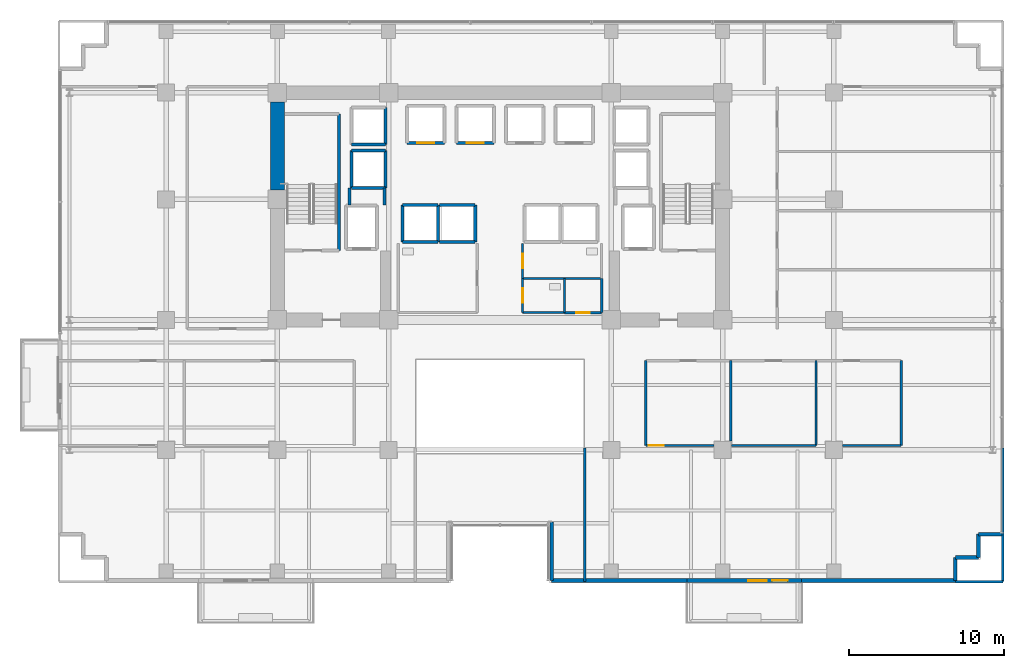
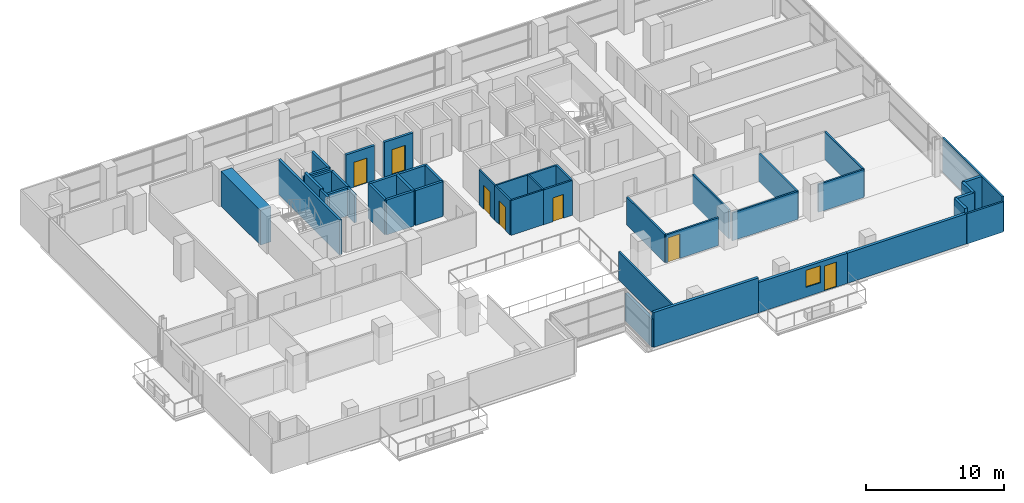
# One storey, part 25 of 32: 44 walls, 7 doors, 1 window, 8 openings.
"""IFC4 building model written with IfcOpenShell, lengths in metres."""

import ifcopenshell
import ifcopenshell.guid

model = None  # the IFC model being written
_history = None  # IfcOwnerHistory: only IFC2X3 demands one
_inside = {}  # id of a spatial element -> (the spatial element, [elements in it])
_under = {}  # id of a project, library or spatial element -> (it, [spatial elements below it])
_declared = {}  # id of a project -> (the project, [libraries it declares])
_typed = {}  # id of a type object -> (the type object, [elements of that type])
_made_of = {}  # id of a material, layer set ... -> (it, [elements and type objects made of it])


def new_model(schema):
    """Start an empty IFC model of exactly this schema.

    Asked for "IFC4X3", IfcOpenShell would pick the latest addendum, in which some entities
    have other attributes; the version numbers below select the first issue.
    IFC2X3 requires an IfcOwnerHistory on every rooted entity: one is made here for all.
    """
    global model, _history
    if schema == "IFC4X3":
        model = ifcopenshell.file(schema_version=(4, 3, 0, 0))
    else:
        model = ifcopenshell.file(schema=schema)
    _inside.clear()
    _under.clear()
    _declared.clear()
    _typed.clear()
    _made_of.clear()
    _history = None
    if model.schema == "IFC2X3":
        org = make("IfcOrganization", Name="unknown")
        user = make(
            "IfcPersonAndOrganization",
            ThePerson=make("IfcPerson", FamilyName="unknown"),
            TheOrganization=org,
        )
        app = make(
            "IfcApplication",
            ApplicationDeveloper=org,
            Version="unknown",
            ApplicationFullName="unknown",
            ApplicationIdentifier="unknown",
        )
        _history = make(
            "IfcOwnerHistory",
            OwningUser=user,
            OwningApplication=app,
            ChangeAction="ADDED",
            CreationDate=0,
        )
    return model


def make(cls, **values):
    """One entity of the class cls with the attributes given. An attribute that is None is left unset."""
    return model.create_entity(
        cls, **{name: value for name, value in values.items() if value is not None}
    )


def rooted(cls, **values):
    """An entity with a GlobalId (a new one), such as an element, a storey or a relation."""
    return make(cls, GlobalId=ifcopenshell.guid.new(), OwnerHistory=_history, **values)


def si_unit(unit_type, name, prefix=None):
    """IfcSIUnit, for example si_unit("LENGTHUNIT", "METRE", prefix="MILLI")."""
    return make("IfcSIUnit", UnitType=unit_type, Prefix=prefix, Name=name)


def assignment(units):
    """IfcUnitAssignment: the units of a project."""
    return None if units is None else make("IfcUnitAssignment", Units=units)


def point(xyz):
    """IfcCartesianPoint."""
    return None if xyz is None else make("IfcCartesianPoint", Coordinates=xyz)


def direction(xyz):
    """IfcDirection."""
    return None if xyz is None else make("IfcDirection", DirectionRatios=xyz)


def frame(location, z_axis=None, x_axis=None):
    """IfcAxis2Placement3D, a coordinate frame: its origin and axes. An axis left out is left unset."""
    return make(
        "IfcAxis2Placement3D",
        Location=point(location),
        Axis=direction(z_axis),
        RefDirection=direction(x_axis),
    )


def frame_2d(location, x_axis=None):
    """IfcAxis2Placement2D, a coordinate frame in the plane: its origin and x axis."""
    return make(
        "IfcAxis2Placement2D", Location=point(location), RefDirection=direction(x_axis)
    )


def origin():
    """The frame at (0, 0, 0) with its axes left unset."""
    return frame((0.0, 0.0, 0.0))


def place(relative_to, where):
    """IfcLocalPlacement: puts the frame where relative to a parent placement (None: the world)."""
    return make(
        "IfcLocalPlacement", PlacementRelTo=relative_to, RelativePlacement=where
    )


def context(
    kind, dimensions, precision=None, world=None, true_north=None, identifier=None
):
    """IfcGeometricRepresentationContext, for example the 3D "Model" context."""
    return make(
        "IfcGeometricRepresentationContext",
        ContextIdentifier=identifier,
        ContextType=kind,
        CoordinateSpaceDimension=dimensions,
        Precision=precision,
        WorldCoordinateSystem=world,
        TrueNorth=true_north,
    )


def subcontext(parent, identifier, kind, view, scale=None):
    """IfcGeometricRepresentationSubContext, for example "Body" below "Model"."""
    return make(
        "IfcGeometricRepresentationSubContext",
        ContextIdentifier=identifier,
        ContextType=kind,
        ParentContext=parent,
        TargetScale=scale,
        TargetView=view,
    )


def project(units=None, contexts=None):
    """IfcProject with its units and contexts."""
    return rooted(
        "IfcProject",
        Name="project",
        RepresentationContexts=contexts,
        UnitsInContext=assignment(units),
    )


def spatial(cls, under=None, at=None, **own):
    """A site, building, storey or space (cls), placed at a placement, below another one or the project."""
    s = rooted(cls, ObjectPlacement=at, **own)
    if under is not None:
        _under.setdefault(under.id(), (under, []))[1].append(s)
    return s


def profile(cls, at=None, kind="AREA", **sizes):
    """A parametric profile (cls). Its sizes go by their IFC names, for example OverallWidth=200.0."""
    return make(cls, ProfileType=kind, Position=at, **sizes)


def rectangle(**sizes):
    """IfcRectangleProfileDef."""
    return profile("IfcRectangleProfileDef", **sizes)


def extrude(swept, where, along, depth):
    """IfcExtrudedAreaSolid: the profile swept, set in the frame where, extruded along a direction by depth."""
    return make(
        "IfcExtrudedAreaSolid",
        SweptArea=swept,
        Position=where,
        ExtrudedDirection=direction(along),
        Depth=depth,
    )


def shape(context_of_items, identifier, shape_type, items):
    """IfcShapeRepresentation: the items that make up one representation, for example the "Body"."""
    return make(
        "IfcShapeRepresentation",
        ContextOfItems=context_of_items,
        RepresentationIdentifier=identifier,
        RepresentationType=shape_type,
        Items=items,
    )


def source(mapping_origin, context_of_items, identifier, shape_type, items):
    """IfcRepresentationMap: a shape defined once, which mapped items show again and again."""
    return make(
        "IfcRepresentationMap",
        MappingOrigin=mapping_origin,
        MappedRepresentation=shape(context_of_items, identifier, shape_type, items),
    )


def transform(
    local_origin,
    x_axis=None,
    y_axis=None,
    z_axis=None,
    scale=None,
    scale2=None,
    scale3=None,
    uniform=True,
):
    """IfcCartesianTransformationOperator3D, or its non-uniform kind. x_axis, y_axis, z_axis: its Axis1, 2, 3."""
    if uniform:
        return make(
            "IfcCartesianTransformationOperator3D",
            Axis1=direction(x_axis),
            Axis2=direction(y_axis),
            LocalOrigin=point(local_origin),
            Scale=scale,
            Axis3=direction(z_axis),
        )
    return make(
        "IfcCartesianTransformationOperator3DnonUniform",
        Axis1=direction(x_axis),
        Axis2=direction(y_axis),
        LocalOrigin=point(local_origin),
        Scale=scale,
        Axis3=direction(z_axis),
        Scale2=scale2,
        Scale3=scale3,
    )


def mapped(mapping_source, mapping_target):
    """IfcMappedItem: shows the shape of a source again, moved by a transform."""
    return make(
        "IfcMappedItem", MappingSource=mapping_source, MappingTarget=mapping_target
    )


def material(Name=None, Category=None):
    """IfcMaterial."""
    return make("IfcMaterial", Name=Name, Category=Category)


def layer(
    of_material, thickness, ventilated=None, Name=None, Category=None, Priority=None
):
    """IfcMaterialLayer: one layer of a wall or slab, of a material (None: an air gap)."""
    return make(
        "IfcMaterialLayer",
        Material=of_material,
        LayerThickness=thickness,
        IsVentilated=ventilated,
        Name=Name,
        Category=Category,
        Priority=Priority,
    )


def layer_set(layers, Name=None):
    """IfcMaterialLayerSet."""
    return make("IfcMaterialLayerSet", MaterialLayers=layers, LayerSetName=Name)


def made_of(thing, what):
    """Note that an element or type object is made of a material, layer set ...; save() writes the relation."""
    if what is not None:
        _made_of.setdefault(what.id(), (what, []))[1].append(thing)
    return thing


def type_object(cls, material=None, **own):
    """A type object (cls), such as IfcWallType, which elements share."""
    return made_of(rooted(cls, **own), material)


def element(
    cls,
    number,
    at=None,
    inside=None,
    cuts=None,
    type_object=None,
    material=None,
    context=None,
    identifier="Body",
    shape_type=None,
    held_by="IfcProductDefinitionShape",
    body=None,
    shapes=None,
    **own,
):
    """One element of the class cls, such as IfcWall. Its Tag is "e" and its number.

    at: its placement. inside: the storey or other place that contains it. cuts: it is an
    opening in that element (IfcRelVoidsElement). A single representation is given by context,
    identifier, shape_type and body (its items); several are given by shapes. held_by: the class
    of the entity that holds the representations. save() writes the other relations.
    """
    e = rooted(cls, Tag="e%d" % number, ObjectPlacement=at, **own)
    if body is not None:
        shapes = [shape(context, identifier, shape_type, body)]
    if shapes is not None:
        e.Representation = make(held_by, Representations=shapes)
    if inside is not None:
        _inside.setdefault(inside.id(), (inside, []))[1].append(e)
    if cuts is not None:
        rooted(
            "IfcRelVoidsElement", RelatingBuildingElement=cuts, RelatedOpeningElement=e
        )
    if type_object is not None:
        _typed.setdefault(type_object.id(), (type_object, []))[1].append(e)
    return made_of(e, material)


def fill(opening, filler):
    """IfcRelFillsElement: the door or window that sits in an opening."""
    return rooted(
        "IfcRelFillsElement",
        RelatingOpeningElement=opening,
        RelatedBuildingElement=filler,
    )


def aggregate(whole, parts):
    """IfcRelAggregates: a whole, such as a stair, and the parts it consists of."""
    return rooted("IfcRelAggregates", RelatingObject=whole, RelatedObjects=parts)


def save(model, path):
    """Write the relations noted so far, then the file.

    IfcRelAggregates (storeys below a building ...), IfcRelContainedInSpatialStructure (elements
    in a storey), IfcRelDefinesByType, IfcRelAssociatesMaterial and IfcRelDeclares: one each for
    every whole, place, type object, material and project.
    """
    for whole, parts in _under.values():
        aggregate(whole, parts)
    for where, things in _inside.values():
        rooted(
            "IfcRelContainedInSpatialStructure",
            RelatedElements=things,
            RelatingStructure=where,
        )
    for kind, things in _typed.values():
        rooted("IfcRelDefinesByType", RelatedObjects=things, RelatingType=kind)
    for what, things in _made_of.values():
        rooted("IfcRelAssociatesMaterial", RelatedObjects=things, RelatingMaterial=what)
    for by, libraries in _declared.values():
        rooted("IfcRelDeclares", RelatingContext=by, RelatedDefinitions=libraries)
    model.write(path)


model = new_model("IFC4")

# Units and contexts
model_context = context("Model", 3, precision=1e-05, world=origin(), true_north=direction((0.0, 1.0)))
body_context = subcontext(model_context, "Body", "Model", "MODEL_VIEW")
ifc_project = project(units=[si_unit("LENGTHUNIT", "METRE"), si_unit("AREAUNIT", "SQUARE_METRE"), si_unit("VOLUMEUNIT", "CUBIC_METRE"), si_unit("PLANEANGLEUNIT", "RADIAN"), si_unit("MASSUNIT", "GRAM", prefix="KILO")], contexts=[model_context])

# Site, building, storey
site_placement = place(None, origin())
site = spatial("IfcSite", under=ifc_project, at=site_placement, CompositionType="ELEMENT")
building_placement = place(site_placement, origin())
building = spatial("IfcBuilding", under=site, at=building_placement, Name="Zarnakvel Exchange Tower", CompositionType="ELEMENT")
storey_placement = place(building_placement, frame((0.0, 0.0, 73.60009765625)))
storey = spatial("IfcBuildingStorey", under=building, at=storey_placement, Name="L20", CompositionType="ELEMENT", Elevation=73.60009765625)

# Wall
ifc_material_1 = material(Name="Concrete C80/95", Category="concrete")
ifc_layer_1 = layer(ifc_material_1, 0.89990234375)
ifc_layer_set_1 = layer_set([ifc_layer_1], Name="Concrete C80/95")
wall_type_1 = type_object("IfcWallType", Name="CW-C1", PredefinedType="SHEAR", material=ifc_layer_set_1)
wall_1_placement = place(storey_placement, frame((-14.39990234375, 7.199951171875, 0.0), z_axis=(0.0, 0.0, 1.0), x_axis=(0.0, 1.0, 0.0)))
element("IfcWall", 1, at=wall_1_placement, inside=storey, type_object=wall_type_1, Name="L20 Rear Core Shear Wall W2 (CW-C1)", PredefinedType="SHEAR", context=body_context, shape_type="SweptSolid", body=[
    extrude(rectangle(XDim=5.699951171875, YDim=0.89990234375, at=frame_2d((2.85009765625, 0.0))), origin(), (0.0, 0.0, 1.0), 3.074951171875),
])

# Wall, openings, door, window
ifc_material_2 = material(Name="Precast concrete C40/50", Category="concrete")
ifc_layer_2 = layer(ifc_material_2, 0.239990234375)
ifc_layer_set_2 = layer_set([ifc_layer_2], Name="Precast concrete C40/50")
wall_type_2 = type_object("IfcWallType", Name="EW-02", PredefinedType="SOLIDWALL", material=ifc_layer_set_2)
wall_2_placement = place(storey_placement, frame((19.5, -18.06005859375, 0.0), z_axis=(0.0, 0.0, 1.0), x_axis=(-1.0, 0.0, 0.0)))
wall_2 = element("IfcWall", 2, at=wall_2_placement, inside=storey, type_object=wall_type_2, Name="L20 Exterior Precast Spandrel Wall EW-BAL-L20-SE (EW-02)", PredefinedType="SOLIDWALL", context=body_context, shape_type="SweptSolid", body=[
    extrude(rectangle(XDim=7.39990234375, YDim=0.239990234375, at=frame_2d((3.699951171875, 0.0))), origin(), (0.0, 0.0, 1.0), 2.664794921875),
])
opening_1_placement = place(wall_2_placement, frame((0.887939453125, 0.0, 0.0)))
opening_1 = element("IfcOpeningElement", 3, at=opening_1_placement, cuts=wall_2, Name="Opening BD-L20-02", PredefinedType="OPENING", context=body_context, shape_type="SweptSolid", body=[
    extrude(rectangle(XDim=1.0, YDim=2.199951171875, at=frame_2d((0.5, 1.10009765625))), frame((0.0, 0.1298828125, 0.0), z_axis=(0.0, -1.0, 0.0), x_axis=(1.0, 0.0, 0.0)), (0.0, 0.0, 1.0), 0.260009765625),
])
opening_2_placement = place(wall_2_placement, frame((2.238037109375, 0.0, 0.85009765625)))
opening_2 = element("IfcOpeningElement", 4, at=opening_2_placement, cuts=wall_2, Name="Opening WN-04", PredefinedType="OPENING", context=body_context, shape_type="SweptSolid", body=[
    extrude(rectangle(XDim=1.199951171875, YDim=1.5, at=frame_2d((0.60009765625, 0.75))), frame((0.0, 0.1298828125, 0.0), z_axis=(0.0, -1.0, 0.0), x_axis=(1.0, 0.0, 0.0)), (0.0, 0.0, 1.0), 0.260009765625),
])
ifc_material_3 = material(Name="Architectural Bronze Anodised Aluminium", Category="aluminium")
door_type_1 = type_object("IfcDoorType", Name="DT-09", OperationType="NOTDEFINED", PredefinedType="DOOR", material=ifc_material_3)
shared_shape_1 = source(origin(), body_context, "Body", "SweptSolid", [
    extrude(rectangle(XDim=1.0, YDim=2.199951171875, at=frame_2d((0.5, 1.10009765625))), frame((0.0, 0.02490234375, 0.0), z_axis=(0.0, -1.0, 0.0), x_axis=(1.0, 0.0, 0.0)), (0.0, 0.0, 1.0), 0.050048828125),
])
door_1_placement = place(opening_1_placement, origin())
door_1 = element("IfcDoor", 5, at=door_1_placement, inside=storey, type_object=door_type_1, Name="L20 Planted Loggia Balcony Door BD-L20-02", OperationType="SINGLE_SWING_LEFT", OverallHeight=2.199951171875, OverallWidth=1.0, PredefinedType="DOOR", context=body_context, shape_type="MappedRepresentation", body=[
    mapped(shared_shape_1, transform((0.0, 0.0, 0.0), x_axis=(1.0, 0.0, 0.0), y_axis=(0.0, 1.0, 0.0), z_axis=(0.0, 0.0, 1.0), scale=1.0)),
])
fill(opening_1, door_1)
ifc_material_4 = material(Name="Double Low-E Laminated Vision Glass", Category="glass")
window_type = type_object("IfcWindowType", Name="WN-04", PartitioningType="SINGLE_PANEL", PredefinedType="WINDOW", material=ifc_material_4)
shared_shape_2 = source(origin(), body_context, "Body", "SweptSolid", [
    extrude(rectangle(XDim=1.199951171875, YDim=1.5, at=frame_2d((0.60009765625, 0.75))), frame((0.0, 0.030029296875, 0.0), z_axis=(0.0, -1.0, 0.0), x_axis=(1.0, 0.0, 0.0)), (0.0, 0.0, 1.0), 0.06005859375),
])
window_placement = place(opening_2_placement, origin())
window = element("IfcWindow", 6, at=window_placement, inside=storey, type_object=window_type, Name="L20 Loggia Daylight Window (WN-04)", OverallHeight=1.5, OverallWidth=1.199951171875, PartitioningType="SINGLE_PANEL", PredefinedType="WINDOW", context=body_context, shape_type="MappedRepresentation", body=[
    mapped(shared_shape_2, transform((0.0, 0.0, 0.0), x_axis=(1.0, 0.0, 0.0), y_axis=(0.0, 1.0, 0.0), z_axis=(0.0, 0.0, 1.0), scale=1.0)),
])
fill(opening_2, window)

# Walls
for number, where, z_axis, x_axis, name in (
    (7, (30.9599609375, -15.06005859375, 0.0), (0.0, 0.0, 1.0), (1.0, 0.0, 0.0), "L20 Exterior Precast Spandrel Wall EWC-L20-11 (EW-02)"),
    (8, (30.9599609375, -16.56005859375, 0.0), (0.0, 0.0, 1.0), (0.0, 1.0, 0.0), "L20 Exterior Precast Spandrel Wall EWC-L20-12 (EW-02)"),
    (9, (29.4599609375, -16.56005859375, 0.0), (0.0, 0.0, 1.0), (1.0, 0.0, 0.0), "L20 Exterior Precast Spandrel Wall EWC-L20-13 (EW-02)"),
    (10, (29.4599609375, -18.06005859375, 0.0), (0.0, 0.0, 1.0), (0.0, 1.0, 0.0), "L20 Exterior Precast Spandrel Wall EWC-L20-14 (EW-02)"),
):
    element("IfcWall", number, at=place(storey_placement, frame(where, z_axis=z_axis, x_axis=x_axis)), inside=storey, type_object=wall_type_2, Name=name, PredefinedType="SOLIDWALL", context=body_context, shape_type="SweptSolid", body=[
        extrude(rectangle(XDim=1.5, YDim=0.239990234375, at=frame_2d((0.75, 0.0))), origin(), (0.0, 0.0, 1.0), 3.074951171875),
    ])
wall_3_placement = place(storey_placement, frame((19.5, -18.06005859375, 0.0), z_axis=(0.0, 0.0, 1.0), x_axis=(1.0, 0.0, 0.0)))
element("IfcWall", 11, at=wall_3_placement, inside=storey, type_object=wall_type_2, Name="L20 Exterior Precast Spandrel Wall EWC-L20-15 (EW-02)", PredefinedType="SOLIDWALL", context=body_context, shape_type="SweptSolid", body=[
    extrude(rectangle(XDim=9.9599609375, YDim=0.239990234375, at=frame_2d((4.97998046875, 0.0))), origin(), (0.0, 0.0, 1.0), 2.664794921875),
])
wall_4_placement = place(storey_placement, frame((3.340087890625, -18.06005859375, 0.0), z_axis=(0.0, 0.0, 1.0), x_axis=(1.0, 0.0, 0.0)))
element("IfcWall", 12, at=wall_4_placement, inside=storey, type_object=wall_type_2, Name="L20 Exterior Precast Spandrel Wall EWC-L20-16 (EW-02)", PredefinedType="SOLIDWALL", context=body_context, shape_type="SweptSolid", body=[
    extrude(rectangle(XDim=8.760009765625, YDim=0.239990234375, at=frame_2d((4.3798828125, 0.0))), origin(), (0.0, 0.0, 1.0), 3.074951171875),
])
wall_5_placement = place(storey_placement, frame((3.340087890625, -14.260009765625, 0.0), z_axis=(0.0, 0.0, 1.0), x_axis=(0.0, -1.0, 0.0)))
element("IfcWall", 13, at=wall_5_placement, inside=storey, type_object=wall_type_2, Name="L20 Exterior Precast Spandrel Wall EWC-L20-17 (EW-02)", PredefinedType="SOLIDWALL", context=body_context, shape_type="SweptSolid", body=[
    extrude(rectangle(XDim=3.800048828125, YDim=0.239990234375, at=frame_2d((1.89990234375, 0.0))), origin(), (0.0, 0.0, 1.0), 2.46484375),
])

# Wall, opening, door
ifc_material_5 = material(Name="Fire-Rated Gypsum Stud Partition", Category="gypsum")
ifc_layer_3 = layer(ifc_material_5, 0.14990234375)
ifc_layer_set_3 = layer_set([ifc_layer_3], Name="Fire-Rated Gypsum Stud Partition")
wall_type_3 = type_object("IfcWallType", Name="PT-01", PredefinedType="PARTITIONING", material=ifc_layer_set_3)
wall_6_placement = place(storey_placement, frame((6.580078125, -0.72998046875, 0.0), z_axis=(0.0, 0.0, 1.0), x_axis=(-1.0, 0.0, 0.0)))
wall_6 = element("IfcWall", 14, at=wall_6_placement, inside=storey, type_object=wall_type_3, Name="L20 Partition Wall PWALL-L20-020 (PT-01)", PredefinedType="PARTITIONING", context=body_context, shape_type="SweptSolid", body=[
    extrude(rectangle(XDim=2.400146484375, YDim=0.14990234375, at=frame_2d((1.2001953125, 0.0))), origin(), (0.0, 0.0, 1.0), 3.074951171875),
])
opening_3_placement = place(wall_6_placement, frame((0.760009765625, 0.0, 0.0)))
opening_3 = element("IfcOpeningElement", 15, at=opening_3_placement, cuts=wall_6, Name="Opening D-L20-08", PredefinedType="OPENING", context=body_context, shape_type="SweptSolid", body=[
    extrude(rectangle(XDim=0.8798828125, YDim=2.10009765625, at=frame_2d((0.43994140625, 1.050048828125))), frame((0.0, 0.0849609375, 0.0), z_axis=(0.0, -1.0, 0.0), x_axis=(1.0, 0.0, 0.0)), (0.0, 0.0, 1.0), 0.169921875),
])
ifc_material_6 = material(Name="Painted Galvanised Steel S355", Category="steel")
door_type_2 = type_object("IfcDoorType", Name="DT-08", OperationType="NOTDEFINED", PredefinedType="DOOR", material=ifc_material_6)
shared_shape_3 = source(origin(), body_context, "Body", "SweptSolid", [
    extrude(rectangle(XDim=0.8798828125, YDim=2.10009765625, at=frame_2d((0.43994140625, 1.050048828125))), frame((0.0, 0.02490234375, 0.0), z_axis=(0.0, -1.0, 0.0), x_axis=(1.0, 0.0, 0.0)), (0.0, 0.0, 1.0), 0.050048828125),
])
door_2_placement = place(opening_3_placement, origin())
door_2 = element("IfcDoor", 16, at=door_2_placement, inside=storey, type_object=door_type_2, Name="L20 Cleaners Store Door D-L20-08", OperationType="SINGLE_SWING_RIGHT", OverallHeight=2.10009765625, OverallWidth=0.8798828125, PredefinedType="DOOR", context=body_context, shape_type="MappedRepresentation", body=[
    mapped(shared_shape_3, transform((0.0, 0.0, 0.0), x_axis=(1.0, 0.0, 0.0), y_axis=(0.0, 1.0, 0.0), z_axis=(0.0, 0.0, 1.0), scale=1.0)),
])
fill(opening_3, door_2)

# Wall
wall_7_placement = place(storey_placement, frame((6.580078125, 1.47998046875, 0.0), z_axis=(0.0, 0.0, 1.0), x_axis=(0.0, -1.0, 0.0)))
element("IfcWall", 17, at=wall_7_placement, inside=storey, type_object=wall_type_3, Name="L20 Partition Wall PWALL-L20-021 (PT-01)", PredefinedType="PARTITIONING", context=body_context, shape_type="SweptSolid", body=[
    extrude(rectangle(XDim=2.2099609375, YDim=0.14990234375, at=frame_2d((1.10498046875, 0.0))), origin(), (0.0, 0.0, 1.0), 3.074951171875),
])

# Wall, opening, door
wall_8_placement = place(storey_placement, frame((13.830078125, -9.320068359375, 0.0), z_axis=(0.0, 0.0, 1.0), x_axis=(-1.0, 0.0, 0.0)))
wall_8 = element("IfcWall", 18, at=wall_8_placement, inside=storey, type_object=wall_type_3, Name="L20 Partition Wall PWALL-L20-032 (PT-01)", PredefinedType="PARTITIONING", context=body_context, shape_type="SweptSolid", body=[
    extrude(rectangle(XDim=4.400146484375, YDim=0.14990234375, at=frame_2d((2.2001953125, 0.0))), origin(), (0.0, 0.0, 1.0), 2.46484375),
])
opening_4_placement = place(wall_8_placement, frame((3.239990234375, 0.0, 0.0)))
opening_4 = element("IfcOpeningElement", 19, at=opening_4_placement, cuts=wall_8, Name="Opening D-L20-15", PredefinedType="OPENING", context=body_context, shape_type="SweptSolid", body=[
    extrude(rectangle(XDim=0.97998046875, YDim=2.14990234375, at=frame_2d((0.489990234375, 1.074951171875))), frame((0.0, 0.0849609375, 0.0), z_axis=(0.0, -1.0, 0.0), x_axis=(1.0, 0.0, 0.0)), (0.0, 0.0, 1.0), 0.169921875),
])
ifc_material_7 = material(Name="Timber Acoustic Veneer", Category="wood")
door_type_3 = type_object("IfcDoorType", Name="DT-05", OperationType="NOTDEFINED", PredefinedType="DOOR", material=ifc_material_7)
shared_shape_4 = source(origin(), body_context, "Body", "SweptSolid", [
    extrude(rectangle(XDim=0.97998046875, YDim=2.14990234375, at=frame_2d((0.489990234375, 1.074951171875))), frame((0.0, 0.02490234375, 0.0), z_axis=(0.0, -1.0, 0.0), x_axis=(1.0, 0.0, 0.0)), (0.0, 0.0, 1.0), 0.050048828125),
])
door_3_placement = place(opening_4_placement, origin())
door_3 = element("IfcDoor", 20, at=door_3_placement, inside=storey, type_object=door_type_3, Name="L20 Corporate Advisory Suite Door D-L20-15", OperationType="SINGLE_SWING_LEFT", OverallHeight=2.14990234375, OverallWidth=0.97998046875, PredefinedType="DOOR", context=body_context, shape_type="MappedRepresentation", body=[
    mapped(shared_shape_4, transform((0.0, 0.0, 0.0), x_axis=(1.0, 0.0, 0.0), y_axis=(0.0, 1.0, 0.0), z_axis=(0.0, 0.0, 1.0), scale=1.0)),
])
fill(opening_4, door_3)

# Walls
wall_9_placement = place(storey_placement, frame((9.429931640625, -9.320068359375, 0.0), z_axis=(0.0, 0.0, 1.0), x_axis=(0.0, 1.0, 0.0)))
element("IfcWall", 21, at=wall_9_placement, inside=storey, type_object=wall_type_3, Name="L20 Partition Wall PWALL-L20-034 (PT-01)", PredefinedType="PARTITIONING", context=body_context, shape_type="SweptSolid", body=[
    extrude(rectangle(XDim=5.489990234375, YDim=0.14990234375, at=frame_2d((2.7451171875, 0.0))), origin(), (0.0, 0.0, 1.0), 2.46484375),
])
wall_10_placement = place(storey_placement, frame((14.9375, -3.830078125, 0.0), z_axis=(0.0, 0.0, 1.0), x_axis=(0.0, -1.0, 0.0)))
element("IfcWall", 22, at=wall_10_placement, inside=storey, type_object=wall_type_3, Name="L20 Partition Wall PWALL-L20-035 (PT-01)", PredefinedType="PARTITIONING", context=body_context, shape_type="SweptSolid", body=[
    extrude(rectangle(XDim=5.199951171875, YDim=0.14990234375, at=frame_2d((2.60009765625, 0.0))), origin(), (0.0, 0.0, 1.0), 2.56494140625),
])
wall_11_placement = place(storey_placement, frame((20.4453125, -9.320068359375, 0.0), z_axis=(0.0, 0.0, 1.0), x_axis=(-1.0, 0.0, 0.0)))
element("IfcWall", 23, at=wall_11_placement, inside=storey, type_object=wall_type_3, Name="L20 Partition Wall PWALL-L20-036 (PT-01)", PredefinedType="PARTITIONING", context=body_context, shape_type="SweptSolid", body=[
    extrude(rectangle(XDim=5.475341796875, YDim=0.14990234375, at=frame_2d((2.73779296875, 0.0))), origin(), (0.0, 0.0, 1.0), 2.46484375),
])
wall_12_placement = place(storey_placement, frame((20.4453125, -3.830078125, 0.0), z_axis=(0.0, 0.0, 1.0), x_axis=(0.0, -1.0, 0.0)))
element("IfcWall", 24, at=wall_12_placement, inside=storey, type_object=wall_type_3, Name="L20 Partition Wall PWALL-L20-038 (PT-01)", PredefinedType="PARTITIONING", context=body_context, shape_type="SweptSolid", body=[
    extrude(rectangle(XDim=5.489990234375, YDim=0.14990234375, at=frame_2d((2.7451171875, 0.0))), origin(), (0.0, 0.0, 1.0), 2.46484375),
])
wall_13_placement = place(storey_placement, frame((25.952880859375, -9.320068359375, 0.0), z_axis=(0.0, 0.0, 1.0), x_axis=(-1.0, 0.0, 0.0)))
element("IfcWall", 25, at=wall_13_placement, inside=storey, type_object=wall_type_3, Name="L20 Partition Wall PWALL-L20-039 (PT-01)", PredefinedType="PARTITIONING", context=body_context, shape_type="SweptSolid", body=[
    extrude(rectangle(XDim=3.782958984375, YDim=0.14990234375, at=frame_2d((1.8916015625, 0.0))), origin(), (0.0, 0.0, 1.0), 2.46484375),
])
wall_14_placement = place(storey_placement, frame((25.952880859375, -3.830078125, 0.0), z_axis=(0.0, 0.0, 1.0), x_axis=(0.0, -1.0, 0.0)))
element("IfcWall", 26, at=wall_14_placement, inside=storey, type_object=wall_type_3, Name="L20 Partition Wall PWALL-L20-041 (PT-01)", PredefinedType="PARTITIONING", context=body_context, shape_type="SweptSolid", body=[
    extrude(rectangle(XDim=5.489990234375, YDim=0.14990234375, at=frame_2d((2.7451171875, 0.0))), origin(), (0.0, 0.0, 1.0), 2.46484375),
])
wall_15_placement = place(storey_placement, frame((32.530029296875, -18.1298828125, 0.0), z_axis=(0.0, 0.0, 1.0), x_axis=(-1.0, 0.0, 0.0)))
element("IfcWall", 27, at=wall_15_placement, inside=storey, type_object=wall_type_3, Name="L20 Partition Wall PWALL-L20-042 (PT-01)", PredefinedType="PARTITIONING", context=body_context, shape_type="SweptSolid", body=[
    extrude(rectangle(XDim=3.070068359375, YDim=0.14990234375, at=frame_2d((1.53515625, 0.0))), origin(), (0.0, 0.0, 1.0), 2.664794921875),
])
wall_16_placement = place(storey_placement, frame((5.47998046875, -18.1298828125, 0.0), z_axis=(0.0, 0.0, 1.0), x_axis=(0.0, 1.0, 0.0)))
element("IfcWall", 28, at=wall_16_placement, inside=storey, type_object=wall_type_3, Name="L20 Partition Wall PWALL-L20-043 (PT-01)", PredefinedType="PARTITIONING", context=body_context, shape_type="SweptSolid", body=[
    extrude(rectangle(XDim=8.64990234375, YDim=0.14990234375, at=frame_2d((4.324951171875, 0.0))), origin(), (0.0, 0.0, 1.0), 2.46484375),
])
wall_17_placement = place(storey_placement, frame((32.530029296875, -9.47998046875, 0.0), z_axis=(0.0, 0.0, 1.0), x_axis=(0.0, -1.0, 0.0)))
element("IfcWall", 29, at=wall_17_placement, inside=storey, type_object=wall_type_3, Name="L20 Partition Wall PWALL-L20-044 (PT-01)", PredefinedType="PARTITIONING", context=body_context, shape_type="SweptSolid", body=[
    extrude(rectangle(XDim=8.64990234375, YDim=0.14990234375, at=frame_2d((4.324951171875, 0.0))), origin(), (0.0, 0.0, 1.0), 3.074951171875),
])
ifc_layer_4 = layer(ifc_material_5, 0.179931640625)
ifc_layer_set_4 = layer_set([ifc_layer_4], Name="Fire-Rated Gypsum Stud Partition")
wall_type_4 = type_object("IfcWallType", Name="PT-02", PredefinedType="PARTITIONING", material=ifc_layer_set_4)
wall_18_placement = place(storey_placement, frame((-9.72998046875, 6.239990234375, 0.0), z_axis=(0.0, 0.0, 1.0), x_axis=(0.0, 1.0, 0.0)))
element("IfcWall", 30, at=wall_18_placement, inside=storey, type_object=wall_type_4, Name="L20 Partition Wall PWALL-L20-007 (PT-02)", PredefinedType="PARTITIONING", context=body_context, shape_type="SweptSolid", body=[
    extrude(rectangle(XDim=1.090087890625, YDim=0.179931640625, at=frame_2d((0.544921875, 0.0))), origin(), (0.0, 0.0, 1.0), 3.074951171875),
])
wall_19_placement = place(storey_placement, frame((-7.469970703125, 7.330078125, 0.0), z_axis=(0.0, 0.0, 1.0), x_axis=(0.0, -1.0, 0.0)))
element("IfcWall", 31, at=wall_19_placement, inside=storey, type_object=wall_type_4, Name="L20 Partition Wall PWALL-L20-008 (PT-02)", PredefinedType="PARTITIONING", context=body_context, shape_type="SweptSolid", body=[
    extrude(rectangle(XDim=1.090087890625, YDim=0.179931640625, at=frame_2d((0.544921875, 0.0))), origin(), (0.0, 0.0, 1.0), 2.46484375),
])
ifc_material_8 = material(Name="Moisture-Resistant Tile-Faced Partition", Category="gypsum")
ifc_layer_5 = layer(ifc_material_8, 0.135009765625)
ifc_layer_set_5 = layer_set([ifc_layer_5], Name="Moisture-Resistant Tile-Faced Partition")
wall_type_5 = type_object("IfcWallType", Name="PT-03", PredefinedType="PARTITIONING", material=ifc_layer_set_5)
wall_20_placement = place(storey_placement, frame((6.580078125, 1.47998046875, 0.0), z_axis=(0.0, 0.0, 1.0), x_axis=(-1.0, 0.0, 0.0)))
element("IfcWall", 32, at=wall_20_placement, inside=storey, type_object=wall_type_5, Name="L20 Partition Wall PWALL-L20-014 (PT-03)", PredefinedType="PARTITIONING", context=body_context, shape_type="SweptSolid", body=[
    extrude(rectangle(XDim=5.110107421875, YDim=0.135009765625, at=frame_2d((2.55517578125, 0.0))), origin(), (0.0, 0.0, 1.0), 3.074951171875),
])

# Wall, opening, door
wall_21_placement = place(storey_placement, frame((1.469970703125, 1.47998046875, 0.0), z_axis=(0.0, 0.0, 1.0), x_axis=(0.0, 1.0, 0.0)))
wall_21 = element("IfcWall", 33, at=wall_21_placement, inside=storey, type_object=wall_type_5, Name="L20 Partition Wall PWALL-L20-015 (PT-03)", PredefinedType="PARTITIONING", context=body_context, shape_type="SweptSolid", body=[
    extrude(rectangle(XDim=2.280029296875, YDim=0.135009765625, at=frame_2d((1.14013671875, 0.0))), origin(), (0.0, 0.0, 1.0), 3.074951171875),
])
opening_5_placement = place(wall_21_placement, frame((0.679931640625, 0.0, 0.0)))
opening_5 = element("IfcOpeningElement", 34, at=opening_5_placement, cuts=wall_21, Name="Opening D-L20-06", PredefinedType="OPENING", context=body_context, shape_type="SweptSolid", body=[
    extrude(rectangle(XDim=0.919921875, YDim=2.10009765625, at=frame_2d((0.4599609375, 1.050048828125))), frame((0.0, 0.077392578125, 0.0), z_axis=(0.0, -1.0, 0.0), x_axis=(1.0, 0.0, 0.0)), (0.0, 0.0, 1.0), 0.155029296875),
])
ifc_material_9 = material(Name="Moisture-Resistant Laminate Timber", Category="wood")
door_type_4 = type_object("IfcDoorType", Name="DT-07", OperationType="NOTDEFINED", PredefinedType="DOOR", material=ifc_material_9)
shared_shape_5 = source(origin(), body_context, "Body", "SweptSolid", [
    extrude(rectangle(XDim=0.919921875, YDim=2.10009765625, at=frame_2d((0.4599609375, 1.050048828125))), frame((0.0, 0.02490234375, 0.0), z_axis=(0.0, -1.0, 0.0), x_axis=(1.0, 0.0, 0.0)), (0.0, 0.0, 1.0), 0.050048828125),
])
door_4_placement = place(opening_5_placement, origin())
door_4 = element("IfcDoor", 35, at=door_4_placement, inside=storey, type_object=door_type_4, Name="L20 Female Toilet Door D-L20-06", OperationType="SINGLE_SWING_RIGHT", OverallHeight=2.10009765625, OverallWidth=0.919921875, PredefinedType="DOOR", context=body_context, shape_type="MappedRepresentation", body=[
    mapped(shared_shape_5, transform((0.0, 0.0, 0.0), x_axis=(1.0, 0.0, 0.0), y_axis=(0.0, 1.0, 0.0), z_axis=(0.0, 0.0, 1.0), scale=1.0)),
])
fill(opening_5, door_4)

# Wall
wall_22_placement = place(storey_placement, frame((4.179931640625, -0.72998046875, 0.0), z_axis=(0.0, 0.0, 1.0), x_axis=(-1.0, 0.0, 0.0)))
element("IfcWall", 36, at=wall_22_placement, inside=storey, type_object=wall_type_5, Name="L20 Partition Wall PWALL-L20-017 (PT-03)", PredefinedType="PARTITIONING", context=body_context, shape_type="SweptSolid", body=[
    extrude(rectangle(XDim=2.7099609375, YDim=0.135009765625, at=frame_2d((1.35498046875, 0.0))), origin(), (0.0, 0.0, 1.0), 3.074951171875),
])

# Wall, opening, door
wall_23_placement = place(storey_placement, frame((1.469970703125, -0.72998046875, 0.0), z_axis=(0.0, 0.0, 1.0), x_axis=(0.0, 1.0, 0.0)))
wall_23 = element("IfcWall", 37, at=wall_23_placement, inside=storey, type_object=wall_type_5, Name="L20 Partition Wall PWALL-L20-018 (PT-03)", PredefinedType="PARTITIONING", context=body_context, shape_type="SweptSolid", body=[
    extrude(rectangle(XDim=2.2099609375, YDim=0.135009765625, at=frame_2d((1.10498046875, 0.0))), origin(), (0.0, 0.0, 1.0), 3.074951171875),
])
opening_6_placement = place(wall_23_placement, frame((0.64990234375, 0.0, 0.0)))
opening_6 = element("IfcOpeningElement", 38, at=opening_6_placement, cuts=wall_23, Name="Opening D-L20-07", PredefinedType="OPENING", context=body_context, shape_type="SweptSolid", body=[
    extrude(rectangle(XDim=0.919921875, YDim=2.10009765625, at=frame_2d((0.4599609375, 1.050048828125))), frame((0.0, 0.077392578125, 0.0), z_axis=(0.0, -1.0, 0.0), x_axis=(1.0, 0.0, 0.0)), (0.0, 0.0, 1.0), 0.155029296875),
])
door_5_placement = place(opening_6_placement, origin())
door_5 = element("IfcDoor", 39, at=door_5_placement, inside=storey, type_object=door_type_4, Name="L20 Accessible Toilet Door D-L20-07", OperationType="SINGLE_SWING_LEFT", OverallHeight=2.10009765625, OverallWidth=0.919921875, PredefinedType="DOOR", context=body_context, shape_type="MappedRepresentation", body=[
    mapped(shared_shape_5, transform((0.0, 0.0, 0.0), x_axis=(1.0, 0.0, 0.0), y_axis=(0.0, 1.0, 0.0), z_axis=(0.0, 0.0, 1.0), scale=1.0)),
])
fill(opening_6, door_5)

# Wall
wall_24_placement = place(storey_placement, frame((4.179931640625, 1.47998046875, 0.0), z_axis=(0.0, 0.0, 1.0), x_axis=(0.0, -1.0, 0.0)))
element("IfcWall", 40, at=wall_24_placement, inside=storey, type_object=wall_type_5, Name="L20 Partition Wall PWALL-L20-019 (PT-03)", PredefinedType="PARTITIONING", context=body_context, shape_type="SweptSolid", body=[
    extrude(rectangle(XDim=2.2099609375, YDim=0.135009765625, at=frame_2d((1.10498046875, 0.0))), origin(), (0.0, 0.0, 1.0), 3.074951171875),
])

# Wall, opening, door
ifc_material_10 = material(Name="Concrete C40/50", Category="concrete")
ifc_layer_6 = layer(ifc_material_10, 0.199951171875)
ifc_layer_set_6 = layer_set([ifc_layer_6], Name="Concrete C40/50")
wall_type_6 = type_object("IfcWallType", Name="SW-01", PredefinedType="SOLIDWALL", material=ifc_layer_set_6)
wall_25_placement = place(storey_placement, frame((-3.60009765625, 10.25, 0.0), z_axis=(0.0, 0.0, 1.0), x_axis=(-1.0, 0.0, 0.0)))
wall_25 = element("IfcWall", 41, at=wall_25_placement, inside=storey, type_object=wall_type_6, Name="L20 PL-01 Hoistway Wall South", PredefinedType="SOLIDWALL", context=body_context, shape_type="SweptSolid", body=[
    extrude(rectangle(XDim=2.39990234375, YDim=0.199951171875, at=frame_2d((1.199951171875, 0.0))), origin(), (0.0, 0.0, 1.0), 3.074951171875),
])
opening_7_placement = place(wall_25_placement, frame((0.64990234375, 0.0, 0.0)))
opening_7 = element("IfcOpeningElement", 42, at=opening_7_placement, cuts=wall_25, Name="Opening LD-PL-01-L20", PredefinedType="OPENING", context=body_context, shape_type="SweptSolid", body=[
    extrude(rectangle(XDim=1.10009765625, YDim=2.199951171875, at=frame_2d((0.550048828125, 1.10009765625))), frame((0.0, 0.10986328125, 0.0), z_axis=(0.0, -1.0, 0.0), x_axis=(1.0, 0.0, 0.0)), (0.0, 0.0, 1.0), 0.219970703125),
])
door_type_5 = type_object("IfcDoorType", Name="LDT-02", OperationType="NOTDEFINED", PredefinedType="DOOR", material=ifc_material_3)
shared_shape_6 = source(origin(), body_context, "Body", "SweptSolid", [
    extrude(rectangle(XDim=1.10009765625, YDim=2.199951171875, at=frame_2d((0.550048828125, 1.10009765625))), frame((0.0, 0.02490234375, 0.0), z_axis=(0.0, -1.0, 0.0), x_axis=(1.0, 0.0, 0.0)), (0.0, 0.0, 1.0), 0.050048828125),
])
door_6_placement = place(opening_7_placement, origin())
door_6 = element("IfcDoor", 43, at=door_6_placement, inside=storey, type_object=door_type_5, Name="L20 PL-01 Lift Landing Door LD-PL-01-L20", OperationType="DOUBLE_DOOR_SLIDING", OverallHeight=2.199951171875, OverallWidth=1.10009765625, PredefinedType="DOOR", context=body_context, shape_type="MappedRepresentation", body=[
    mapped(shared_shape_6, transform((0.0, 0.0, 0.0), x_axis=(1.0, 0.0, 0.0), y_axis=(0.0, 1.0, 0.0), z_axis=(0.0, 0.0, 1.0), scale=1.0)),
])
fill(opening_7, door_6)

wall_26_placement = place(storey_placement, frame((-0.39990234375, 10.25, 0.0), z_axis=(0.0, 0.0, 1.0), x_axis=(-1.0, 0.0, 0.0)))
wall_26 = element("IfcWall", 44, at=wall_26_placement, inside=storey, type_object=wall_type_6, Name="L20 PL-02 Hoistway Wall South", PredefinedType="SOLIDWALL", context=body_context, shape_type="SweptSolid", body=[
    extrude(rectangle(XDim=2.400146484375, YDim=0.199951171875, at=frame_2d((1.2001953125, 0.0))), origin(), (0.0, 0.0, 1.0), 3.074951171875),
])
opening_8_placement = place(wall_26_placement, frame((0.64990234375, 0.0, 0.0)))
opening_8 = element("IfcOpeningElement", 45, at=opening_8_placement, cuts=wall_26, Name="Opening LD-PL-02-L20", PredefinedType="OPENING", context=body_context, shape_type="SweptSolid", body=[
    extrude(rectangle(XDim=1.10009765625, YDim=2.199951171875, at=frame_2d((0.550048828125, 1.10009765625))), frame((0.0, 0.10986328125, 0.0), z_axis=(0.0, -1.0, 0.0), x_axis=(1.0, 0.0, 0.0)), (0.0, 0.0, 1.0), 0.219970703125),
])
door_7_placement = place(opening_8_placement, origin())
door_7 = element("IfcDoor", 46, at=door_7_placement, inside=storey, type_object=door_type_5, Name="L20 PL-02 Lift Landing Door LD-PL-02-L20", OperationType="DOUBLE_DOOR_SLIDING", OverallHeight=2.199951171875, OverallWidth=1.10009765625, PredefinedType="DOOR", context=body_context, shape_type="MappedRepresentation", body=[
    mapped(shared_shape_6, transform((0.0, 0.0, 0.0), x_axis=(1.0, 0.0, 0.0), y_axis=(0.0, 1.0, 0.0), z_axis=(0.0, 0.0, 1.0), scale=1.0)),
])
fill(opening_8, door_7)

# Walls
for number, where, z_axis, x_axis, name in (
    (47, (-4.0, 3.85009765625, 0.0), (0.0, 0.0, 1.0), (-1.0, 0.0, 0.0), "L20 PL-05 Hoistway Wall South"),
    (48, (-6.300048828125, 6.25, 0.0), (0.0, 0.0, 1.0), (1.0, 0.0, 0.0), "L20 PL-05 Hoistway Wall North"),
):
    element("IfcWall", number, at=place(storey_placement, frame(where, z_axis=z_axis, x_axis=x_axis)), inside=storey, type_object=wall_type_6, Name=name, PredefinedType="SOLIDWALL", context=body_context, shape_type="SweptSolid", body=[
        extrude(rectangle(XDim=2.300048828125, YDim=0.199951171875, at=frame_2d((1.14990234375, 0.0))), origin(), (0.0, 0.0, 1.0), 3.074951171875),
    ])
for number, where, z_axis, x_axis, name in (
    (49, (-6.300048828125, 3.85009765625, 0.0), (0.0, 0.0, 1.0), (0.0, 1.0, 0.0), "L20 PL-05 Hoistway Wall West"),
    (50, (-4.0, 6.25, 0.0), (0.0, 0.0, 1.0), (0.0, -1.0, 0.0), "L20 PL-05 Hoistway Wall East"),
):
    element("IfcWall", number, at=place(storey_placement, frame(where, z_axis=z_axis, x_axis=x_axis)), inside=storey, type_object=wall_type_6, Name=name, PredefinedType="SOLIDWALL", context=body_context, shape_type="SweptSolid", body=[
        extrude(rectangle(XDim=2.39990234375, YDim=0.199951171875, at=frame_2d((1.199951171875, 0.0))), origin(), (0.0, 0.0, 1.0), 3.074951171875),
    ])
for number, where, z_axis, x_axis, name in (
    (51, (-1.60009765625, 3.85009765625, 0.0), (0.0, 0.0, 1.0), (-1.0, 0.0, 0.0), "L20 PL-06 Hoistway Wall South"),
    (52, (-3.89990234375, 6.25, 0.0), (0.0, 0.0, 1.0), (1.0, 0.0, 0.0), "L20 PL-06 Hoistway Wall North"),
):
    element("IfcWall", number, at=place(storey_placement, frame(where, z_axis=z_axis, x_axis=x_axis)), inside=storey, type_object=wall_type_6, Name=name, PredefinedType="SOLIDWALL", context=body_context, shape_type="SweptSolid", body=[
        extrude(rectangle(XDim=2.2998046875, YDim=0.199951171875, at=frame_2d((1.14990234375, 0.0))), origin(), (0.0, 0.0, 1.0), 3.074951171875),
    ])
wall_27_placement = place(storey_placement, frame((-1.60009765625, 6.25, 0.0), z_axis=(0.0, 0.0, 1.0), x_axis=(0.0, -1.0, 0.0)))
element("IfcWall", 53, at=wall_27_placement, inside=storey, type_object=wall_type_6, Name="L20 PL-06 Hoistway Wall East", PredefinedType="SOLIDWALL", context=body_context, shape_type="SweptSolid", body=[
    extrude(rectangle(XDim=2.39990234375, YDim=0.199951171875, at=frame_2d((1.199951171875, 0.0))), origin(), (0.0, 0.0, 1.0), 3.074951171875),
])
for number, where, z_axis, x_axis, name in (
    (54, (-7.39990234375, 7.35009765625, 0.0), (0.0, 0.0, 1.0), (-1.0, 0.0, 0.0), "L20 PL-09 Hoistway Wall South"),
    (55, (-9.60009765625, 9.75, 0.0), (0.0, 0.0, 1.0), (1.0, 0.0, 0.0), "L20 PL-09 Hoistway Wall North"),
):
    element("IfcWall", number, at=place(storey_placement, frame(where, z_axis=z_axis, x_axis=x_axis)), inside=storey, type_object=wall_type_6, Name=name, PredefinedType="SOLIDWALL", context=body_context, shape_type="SweptSolid", body=[
        extrude(rectangle(XDim=2.2001953125, YDim=0.199951171875, at=frame_2d((1.10009765625, 0.0))), origin(), (0.0, 0.0, 1.0), 2.46484375),
    ])
wall_28_placement = place(storey_placement, frame((-9.60009765625, 7.35009765625, 0.0), z_axis=(0.0, 0.0, 1.0), x_axis=(0.0, 1.0, 0.0)))
element("IfcWall", 56, at=wall_28_placement, inside=storey, type_object=wall_type_6, Name="L20 PL-09 Hoistway Wall West", PredefinedType="SOLIDWALL", context=body_context, shape_type="SweptSolid", body=[
    extrude(rectangle(XDim=2.39990234375, YDim=0.199951171875, at=frame_2d((1.199951171875, 0.0))), origin(), (0.0, 0.0, 1.0), 3.074951171875),
])
wall_29_placement = place(storey_placement, frame((-7.39990234375, 9.75, 0.0), z_axis=(0.0, 0.0, 1.0), x_axis=(0.0, -1.0, 0.0)))
element("IfcWall", 57, at=wall_29_placement, inside=storey, type_object=wall_type_6, Name="L20 PL-09 Hoistway Wall East", PredefinedType="SOLIDWALL", context=body_context, shape_type="SweptSolid", body=[
    extrude(rectangle(XDim=2.39990234375, YDim=0.199951171875, at=frame_2d((1.199951171875, 0.0))), origin(), (0.0, 0.0, 1.0), 2.46484375),
])
wall_30_placement = place(storey_placement, frame((-7.39990234375, 10.14990234375, 0.0), z_axis=(0.0, 0.0, 1.0), x_axis=(-1.0, 0.0, 0.0)))
element("IfcWall", 58, at=wall_30_placement, inside=storey, type_object=wall_type_6, Name="L20 PL-10 Hoistway Wall South", PredefinedType="SOLIDWALL", context=body_context, shape_type="SweptSolid", body=[
    extrude(rectangle(XDim=2.2001953125, YDim=0.199951171875, at=frame_2d((1.10009765625, 0.0))), origin(), (0.0, 0.0, 1.0), 2.46484375),
])
wall_31_placement = place(storey_placement, frame((-7.39990234375, 12.550048828125, 0.0), z_axis=(0.0, 0.0, 1.0), x_axis=(0.0, -1.0, 0.0)))
element("IfcWall", 59, at=wall_31_placement, inside=storey, type_object=wall_type_6, Name="L20 PL-10 Hoistway Wall East", PredefinedType="SOLIDWALL", context=body_context, shape_type="SweptSolid", body=[
    extrude(rectangle(XDim=2.400146484375, YDim=0.199951171875, at=frame_2d((1.2001953125, 0.0))), origin(), (0.0, 0.0, 1.0), 2.46484375),
])
ifc_layer_7 = layer(ifc_material_10, 0.199951171875)
ifc_layer_set_7 = layer_set([ifc_layer_7], Name="Concrete C40/50")
wall_type_7 = type_object("IfcWallType", Name="SW-02", PredefinedType="SOLIDWALL", material=ifc_layer_set_7)
wall_32_placement = place(storey_placement, frame((-10.409912109375, 12.1298828125, 0.0), z_axis=(0.0, 0.0, 1.0), x_axis=(0.0, -1.0, 0.0)))
element("IfcWall", 60, at=wall_32_placement, inside=storey, type_object=wall_type_7, Name="L20 Stairwell Core Wall PWALL-L20-003 (SW-02)", PredefinedType="SOLIDWALL", context=body_context, shape_type="SweptSolid", body=[
    extrude(rectangle(XDim=8.83984375, YDim=0.199951171875, at=frame_2d((4.419921875, 0.0))), origin(), (0.0, 0.0, 1.0), 3.074951171875),
])

save(model, "model.ifc")
